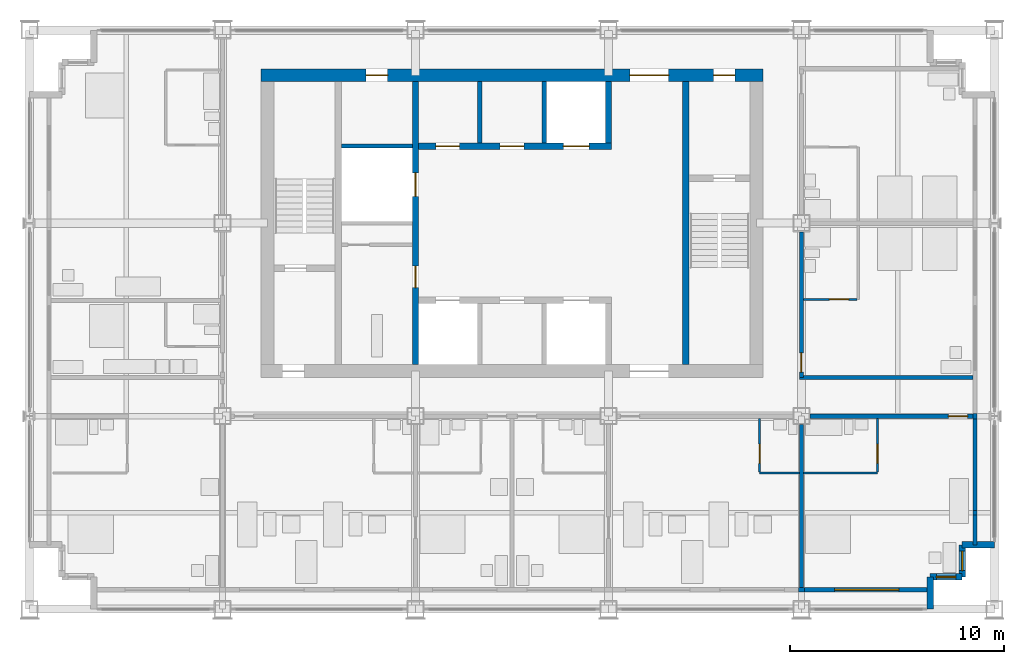
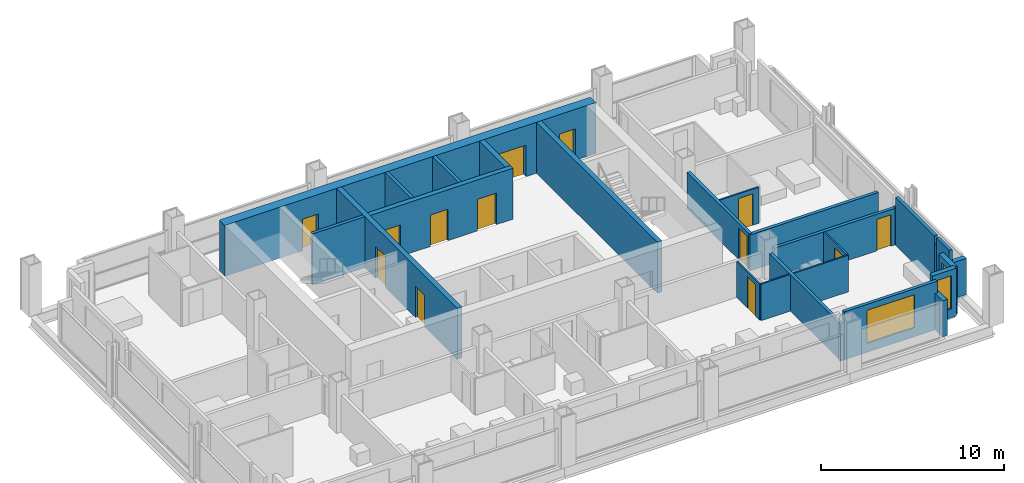
# One storey, part 9 of 13: 27 walls, 13 doors, 3 windows, 16 openings.
"""IFC4 building model written with IfcOpenShell, lengths in metres."""

from ifc_helpers import new_model, si_unit, direction, frame, frame_2d, origin, place, context, subcontext, project, spatial, rectangle, extrude, material, layer, layer_set, type_object, element, fill, save


model = new_model("IFC4")

# Units and contexts
model_context = context("Model", 3, precision=1e-05, world=origin(), true_north=direction((0.0, 1.0)))
body_context = subcontext(model_context, "Body", "Model", "MODEL_VIEW")
ifc_project = project(units=[si_unit("LENGTHUNIT", "METRE"), si_unit("AREAUNIT", "SQUARE_METRE"), si_unit("VOLUMEUNIT", "CUBIC_METRE"), si_unit("PLANEANGLEUNIT", "RADIAN"), si_unit("MASSUNIT", "GRAM", prefix="KILO")], contexts=[model_context])

# Site, building, storey
site_placement = place(None, origin())
site = spatial("IfcSite", under=ifc_project, at=site_placement, CompositionType="ELEMENT")
building_placement = place(site_placement, origin())
building = spatial("IfcBuilding", under=site, at=building_placement, Name="Loomwork Tower", CompositionType="ELEMENT")
storey_placement = place(building_placement, frame((0.0, 0.0, 214.800048828125)))
storey = spatial("IfcBuildingStorey", under=building, at=storey_placement, Name="L59", CompositionType="ELEMENT", Elevation=214.800048828125)

# Wall, openings, doors
ifc_material_1 = material(Name="Concrete 14000 psi (97 MPa)", Category="concrete")
ifc_layer_1 = layer(ifc_material_1, 0.300048828125)
ifc_layer_set_1 = layer_set([ifc_layer_1], Name="Core shear wall 300")
wall_type_1 = type_object("IfcWallType", Name="Core shear wall 300", PredefinedType="SHEAR", material=ifc_layer_set_1)
wall_1_placement = place(storey_placement, frame((18.0, 11.39990234375, 0.0), z_axis=(0.0, 0.0, 1.0), x_axis=(0.0, 1.0, 0.0)))
wall_1 = element("IfcWall", 1, at=wall_1_placement, inside=storey, type_object=wall_type_1, Name="Lobby west wall L59", PredefinedType="SHEAR", context=body_context, shape_type="SweptSolid", body=[
    extrude(rectangle(XDim=13.2001953125, YDim=0.300048828125, at=frame_2d((6.60009765625, 0.0))), origin(), (0.0, 0.0, 1.0), 3.39990234375),
])
opening_1_placement = place(wall_1_placement, frame((3.60009765625, 0.0, 0.0)))
opening_1 = element("IfcOpeningElement", 2, at=opening_1_placement, cuts=wall_1, Name="Opening D5", PredefinedType="OPENING", context=body_context, shape_type="SweptSolid", body=[
    extrude(rectangle(XDim=1.0, YDim=2.10009765625, at=frame_2d((0.5, 1.050048828125))), frame((0.0, 0.159912109375, 0.0), z_axis=(0.0, -1.0, 0.0), x_axis=(1.0, 0.0, 0.0)), (0.0, 0.0, 1.0), 0.320068359375),
])
opening_2_placement = place(wall_1_placement, frame((7.85009765625, 0.0, 0.0)))
opening_2 = element("IfcOpeningElement", 3, at=opening_2_placement, cuts=wall_1, Name="Opening LD1", PredefinedType="OPENING", context=body_context, shape_type="SweptSolid", body=[
    extrude(rectangle(XDim=1.10009765625, YDim=2.10009765625, at=frame_2d((0.550048828125, 1.050048828125))), frame((0.0, 0.159912109375, 0.0), z_axis=(0.0, -1.0, 0.0), x_axis=(1.0, 0.0, 0.0)), (0.0, 0.0, 1.0), 0.320068359375),
])
ifc_material_2 = material(Name="Hollow metal door and frame")
door_type_1 = type_object("IfcDoorType", Name="Lift landing door 1100", OperationType="SLIDING_TO_LEFT", PredefinedType="DOOR", material=ifc_material_2)
door_1_placement = place(opening_2_placement, origin())
door_1 = element("IfcDoor", 4, at=door_1_placement, inside=storey, type_object=door_type_1, Name="Lift landing door LC2", OperationType="SLIDING_TO_LEFT", OverallHeight=2.10009765625, OverallWidth=1.10009765625, PredefinedType="DOOR", context=body_context, shape_type="SweptSolid", body=[
    extrude(rectangle(XDim=1.10009765625, YDim=2.10009765625, at=frame_2d((0.550048828125, 1.050048828125))), frame((0.0, 0.02490234375, 0.0), z_axis=(0.0, -1.0, 0.0), x_axis=(1.0, 0.0, 0.0)), (0.0, 0.0, 1.0), 0.050048828125),
])
fill(opening_2, door_1)
ifc_material_3 = material(Name="Hollow metal door and frame")
door_type_2 = type_object("IfcDoorType", Name="Service door 1000", OperationType="SINGLE_SWING_LEFT", PredefinedType="DOOR", material=ifc_material_3)
door_2_placement = place(opening_1_placement, origin())
door_2 = element("IfcDoor", 5, at=door_2_placement, inside=storey, type_object=door_type_2, Name="Back-of-house door south", OperationType="SINGLE_SWING_LEFT", OverallHeight=2.10009765625, OverallWidth=1.0, PredefinedType="DOOR", context=body_context, shape_type="SweptSolid", body=[
    extrude(rectangle(XDim=1.0, YDim=2.10009765625, at=frame_2d((0.5, 1.050048828125))), frame((0.0, 0.02490234375, 0.0), z_axis=(0.0, -1.0, 0.0), x_axis=(1.0, 0.0, 0.0)), (0.0, 0.0, 1.0), 0.050048828125),
])
fill(opening_1, door_2)

wall_2_placement = place(storey_placement, frame((18.14990234375, 21.60009765625, 0.0), z_axis=(0.0, 0.0, 1.0), x_axis=(1.0, 0.0, 0.0)))
wall_2 = element("IfcWall", 6, at=wall_2_placement, inside=storey, type_object=wall_type_1, Name="Lift front wall north L59", PredefinedType="SHEAR", context=body_context, shape_type="SweptSolid", body=[
    extrude(rectangle(XDim=9.0, YDim=0.300048828125, at=frame_2d((4.5, 0.0))), origin(), (0.0, 0.0, 1.0), 3.39990234375),
])
opening_3_placement = place(wall_2_placement, frame((6.75, 0.0, 0.0)))
opening_3 = element("IfcOpeningElement", 7, at=opening_3_placement, cuts=wall_2, Name="Opening LD2", PredefinedType="OPENING", context=body_context, shape_type="SweptSolid", body=[
    extrude(rectangle(XDim=1.199951171875, YDim=2.10009765625, at=frame_2d((0.60009765625, 1.050048828125))), frame((0.0, 0.159912109375, 0.0), z_axis=(0.0, -1.0, 0.0), x_axis=(1.0, 0.0, 0.0)), (0.0, 0.0, 1.0), 0.320068359375),
])
opening_4_placement = place(wall_2_placement, frame((0.800048828125, 0.0, 0.0)))
opening_4 = element("IfcOpeningElement", 8, at=opening_4_placement, cuts=wall_2, Name="Opening D17", PredefinedType="OPENING", context=body_context, shape_type="SweptSolid", body=[
    extrude(rectangle(XDim=1.10009765625, YDim=2.10009765625, at=frame_2d((0.550048828125, 1.050048828125))), frame((0.0, 0.159912109375, 0.0), z_axis=(0.0, -1.0, 0.0), x_axis=(1.0, 0.0, 0.0)), (0.0, 0.0, 1.0), 0.320068359375),
])
opening_5_placement = place(wall_2_placement, frame((3.800048828125, 0.0, 0.0)))
opening_5 = element("IfcOpeningElement", 9, at=opening_5_placement, cuts=wall_2, Name="Opening D17", PredefinedType="OPENING", context=body_context, shape_type="SweptSolid", body=[
    extrude(rectangle(XDim=1.10009765625, YDim=2.10009765625, at=frame_2d((0.550048828125, 1.050048828125))), frame((0.0, 0.159912109375, 0.0), z_axis=(0.0, -1.0, 0.0), x_axis=(1.0, 0.0, 0.0)), (0.0, 0.0, 1.0), 0.320068359375),
])
ifc_material_4 = material(Name="Hollow metal door and frame")
door_type_3 = type_object("IfcDoorType", Name="Lift landing door 1200", OperationType="SLIDING_TO_LEFT", PredefinedType="DOOR", material=ifc_material_4)
door_3_placement = place(opening_3_placement, origin())
door_3 = element("IfcDoor", 10, at=door_3_placement, inside=storey, type_object=door_type_3, Name="Lift landing door LF2", OperationType="SLIDING_TO_LEFT", OverallHeight=2.10009765625, OverallWidth=1.199951171875, PredefinedType="DOOR", context=body_context, shape_type="SweptSolid", body=[
    extrude(rectangle(XDim=1.199951171875, YDim=2.10009765625, at=frame_2d((0.60009765625, 1.050048828125))), frame((0.0, 0.02490234375, 0.0), z_axis=(0.0, -1.0, 0.0), x_axis=(1.0, 0.0, 0.0)), (0.0, 0.0, 1.0), 0.050048828125),
])
fill(opening_3, door_3)
ifc_material_5 = material(Name="Hollow metal door and frame")
door_type_4 = type_object("IfcDoorType", Name="Service room door 1100", OperationType="SINGLE_SWING_LEFT", PredefinedType="DOOR", material=ifc_material_5)
door_4_placement = place(opening_4_placement, origin())
door_4 = element("IfcDoor", 11, at=door_4_placement, inside=storey, type_object=door_type_4, Name="Housekeeping store door L59", OperationType="SINGLE_SWING_LEFT", OverallHeight=2.10009765625, OverallWidth=1.10009765625, PredefinedType="DOOR", context=body_context, shape_type="SweptSolid", body=[
    extrude(rectangle(XDim=1.10009765625, YDim=2.10009765625, at=frame_2d((0.550048828125, 1.050048828125))), frame((0.0, 0.02490234375, 0.0), z_axis=(0.0, -1.0, 0.0), x_axis=(1.0, 0.0, 0.0)), (0.0, 0.0, 1.0), 0.050048828125),
])
fill(opening_4, door_4)
door_5_placement = place(opening_5_placement, origin())
door_5 = element("IfcDoor", 12, at=door_5_placement, inside=storey, type_object=door_type_4, Name="Guest pantry, ice and vending door L59", OperationType="SINGLE_SWING_LEFT", OverallHeight=2.10009765625, OverallWidth=1.10009765625, PredefinedType="DOOR", context=body_context, shape_type="SweptSolid", body=[
    extrude(rectangle(XDim=1.10009765625, YDim=2.10009765625, at=frame_2d((0.550048828125, 1.050048828125))), frame((0.0, 0.02490234375, 0.0), z_axis=(0.0, -1.0, 0.0), x_axis=(1.0, 0.0, 0.0)), (0.0, 0.0, 1.0), 0.050048828125),
])
fill(opening_5, door_5)

# Walls
wall_3_placement = place(storey_placement, frame((27.0, 21.75, 0.0), z_axis=(0.0, 0.0, 1.0), x_axis=(0.0, 1.0, 0.0)))
element("IfcWall", 13, at=wall_3_placement, inside=storey, type_object=wall_type_1, Name="Lift shaft end wall north L59", PredefinedType="SHEAR", context=body_context, shape_type="SweptSolid", body=[
    extrude(rectangle(XDim=2.85009765625, YDim=0.300048828125, at=frame_2d((1.425048828125, 0.0))), origin(), (0.0, 0.0, 1.0), 3.39990234375),
])
wall_4_placement = place(storey_placement, frame((30.60009765625, 11.39990234375, 0.0), z_axis=(0.0, 0.0, 1.0), x_axis=(0.0, 1.0, 0.0)))
element("IfcWall", 14, at=wall_4_placement, inside=storey, type_object=wall_type_1, Name="Stair B west wall L59", PredefinedType="SHEAR", context=body_context, shape_type="SweptSolid", body=[
    extrude(rectangle(XDim=13.2001953125, YDim=0.300048828125, at=frame_2d((6.60009765625, 0.0))), origin(), (0.0, 0.0, 1.0), 3.39990234375),
])

# Wall, openings, doors
ifc_material_6 = material(Name="Concrete 14000 psi (97 MPa)", Category="concrete")
ifc_layer_2 = layer(ifc_material_6, 0.60009765625)
ifc_layer_set_2 = layer_set([ifc_layer_2], Name="Core shear wall 600")
wall_type_2 = type_object("IfcWallType", Name="Core shear wall 600", PredefinedType="SHEAR", material=ifc_layer_set_2)
wall_5_placement = place(storey_placement, frame((10.800048828125, 24.89990234375, 0.0), z_axis=(0.0, 0.0, 1.0), x_axis=(1.0, 0.0, 0.0)))
wall_5 = element("IfcWall", 15, at=wall_5_placement, inside=storey, type_object=wall_type_2, Name="Core wall north L59", PredefinedType="SHEAR", context=body_context, shape_type="SweptSolid", body=[
    extrude(rectangle(XDim=23.39990234375, YDim=0.60009765625, at=frame_2d((11.699951171875, 0.0))), origin(), (0.0, 0.0, 1.0), 3.39990234375),
])
opening_6_placement = place(wall_5_placement, frame((17.199951171875, 0.0, 0.0)))
opening_6 = element("IfcOpeningElement", 16, at=opening_6_placement, cuts=wall_5, Name="Opening D6", PredefinedType="OPENING", context=body_context, shape_type="SweptSolid", body=[
    extrude(rectangle(XDim=1.800048828125, YDim=2.10009765625, at=frame_2d((0.89990234375, 1.050048828125))), frame((0.0, 0.31005859375, 0.0), z_axis=(0.0, -1.0, 0.0), x_axis=(1.0, 0.0, 0.0)), (0.0, 0.0, 1.0), 0.6201171875),
])
opening_7_placement = place(wall_5_placement, frame((21.10009765625, 0.0, 0.0)))
opening_7 = element("IfcOpeningElement", 17, at=opening_7_placement, cuts=wall_5, Name="Opening D4", PredefinedType="OPENING", context=body_context, shape_type="SweptSolid", body=[
    extrude(rectangle(XDim=1.0, YDim=2.10009765625, at=frame_2d((0.5, 1.050048828125))), frame((0.0, 0.31005859375, 0.0), z_axis=(0.0, -1.0, 0.0), x_axis=(1.0, 0.0, 0.0)), (0.0, 0.0, 1.0), 0.6201171875),
])
opening_8_placement = place(wall_5_placement, frame((4.89990234375, 0.0, 0.0)))
opening_8 = element("IfcOpeningElement", 18, at=opening_8_placement, cuts=wall_5, Name="Opening D5", PredefinedType="OPENING", context=body_context, shape_type="SweptSolid", body=[
    extrude(rectangle(XDim=1.0, YDim=2.10009765625, at=frame_2d((0.5, 1.050048828125))), frame((0.0, 0.31005859375, 0.0), z_axis=(0.0, -1.0, 0.0), x_axis=(1.0, 0.0, 0.0)), (0.0, 0.0, 1.0), 0.6201171875),
])
ifc_material_7 = material(Name="Hollow metal door and frame")
door_type_5 = type_object("IfcDoorType", Name="Lobby passage double door 1800", OperationType="DOUBLE_DOOR_SINGLE_SWING", PredefinedType="DOOR", material=ifc_material_7)
door_6_placement = place(opening_6_placement, frame((1.800048828125, 0.0, 0.0), z_axis=(0.0, 0.0, 1.0), x_axis=(-1.0, 0.0, 0.0)))
door_6 = element("IfcDoor", 19, at=door_6_placement, inside=storey, type_object=door_type_5, Name="Lobby passage door north", OperationType="DOUBLE_DOOR_SINGLE_SWING", OverallHeight=2.10009765625, OverallWidth=1.800048828125, PredefinedType="DOOR", context=body_context, shape_type="SweptSolid", body=[
    extrude(rectangle(XDim=1.800048828125, YDim=2.10009765625, at=frame_2d((0.89990234375, 1.050048828125))), frame((0.0, 0.02490234375, 0.0), z_axis=(0.0, -1.0, 0.0), x_axis=(1.0, 0.0, 0.0)), (0.0, 0.0, 1.0), 0.050048828125),
])
fill(opening_6, door_6)
door_7_placement = place(opening_8_placement, frame((1.0, 0.0, 0.0), z_axis=(0.0, 0.0, 1.0), x_axis=(-1.0, 0.0, 0.0)))
door_7 = element("IfcDoor", 20, at=door_7_placement, inside=storey, type_object=door_type_2, Name="Back-of-house door north", OperationType="SINGLE_SWING_LEFT", OverallHeight=2.10009765625, OverallWidth=1.0, PredefinedType="DOOR", context=body_context, shape_type="SweptSolid", body=[
    extrude(rectangle(XDim=1.0, YDim=2.10009765625, at=frame_2d((0.5, 1.050048828125))), frame((0.0, 0.02490234375, 0.0), z_axis=(0.0, -1.0, 0.0), x_axis=(1.0, 0.0, 0.0)), (0.0, 0.0, 1.0), 0.050048828125),
])
fill(opening_8, door_7)
ifc_material_8 = material(Name="Hollow metal door and frame")
door_type_6 = type_object("IfcDoorType", Name="Stair door 1000", OperationType="SINGLE_SWING_RIGHT", PredefinedType="DOOR", material=ifc_material_8)
door_8_placement = place(opening_7_placement, frame((1.0, 0.0, 0.0), z_axis=(0.0, 0.0, 1.0), x_axis=(-1.0, 0.0, 0.0)))
door_8 = element("IfcDoor", 21, at=door_8_placement, inside=storey, type_object=door_type_6, Name="Stair B vestibule door", OperationType="SINGLE_SWING_LEFT", OverallHeight=2.10009765625, OverallWidth=1.0, PredefinedType="DOOR", context=body_context, shape_type="SweptSolid", body=[
    extrude(rectangle(XDim=1.0, YDim=2.10009765625, at=frame_2d((0.5, 1.050048828125))), frame((0.0, 0.02490234375, 0.0), z_axis=(0.0, -1.0, 0.0), x_axis=(1.0, 0.0, 0.0)), (0.0, 0.0, 1.0), 0.050048828125),
])
fill(opening_7, door_8)

# Wall, opening, door
ifc_material_9 = material(Name="Gypsum board on steel studs, one-hour", Category="steel")
ifc_layer_3 = layer(ifc_material_9, 0.199951171875)
ifc_layer_set_3 = layer_set([ifc_layer_3], Name="Corridor wall 200")
wall_type_3 = type_object("IfcWallType", Name="Corridor wall 200", PredefinedType="PARTITIONING", material=ifc_layer_set_3)
wall_6_placement = place(storey_placement, frame((36.39990234375, 9.0, 0.0), z_axis=(0.0, 0.0, 1.0), x_axis=(1.0, 0.0, 0.0)))
wall_6 = element("IfcWall", 22, at=wall_6_placement, inside=storey, type_object=wall_type_3, Name="South corridor wall 5", PredefinedType="PARTITIONING", context=body_context, shape_type="SweptSolid", body=[
    extrude(rectangle(XDim=7.60009765625, YDim=0.199951171875, at=frame_2d((3.800048828125, 0.0))), origin(), (0.0, 0.0, 1.0), 2.43798828125),
])
opening_9_placement = place(wall_6_placement, frame((6.449951171875, 0.0, 0.0)))
opening_9 = element("IfcOpeningElement", 23, at=opening_9_placement, cuts=wall_6, Name="Opening D1", PredefinedType="OPENING", context=body_context, shape_type="SweptSolid", body=[
    extrude(rectangle(XDim=0.89990234375, YDim=2.10009765625, at=frame_2d((0.449951171875, 1.050048828125))), frame((0.0, 0.10986328125, 0.0), z_axis=(0.0, -1.0, 0.0), x_axis=(1.0, 0.0, 0.0)), (0.0, 0.0, 1.0), 0.219970703125),
])
ifc_material_10 = material(Name="Hollow metal door and frame")
door_type_7 = type_object("IfcDoorType", Name="Guest room entry door 900", OperationType="SINGLE_SWING_LEFT", PredefinedType="DOOR", material=ifc_material_10)
door_9_placement = place(opening_9_placement, frame((0.89990234375, 0.0, 0.0), z_axis=(0.0, 0.0, 1.0), x_axis=(-1.0, 0.0, 0.0)))
door_9 = element("IfcDoor", 24, at=door_9_placement, inside=storey, type_object=door_type_7, Name="Guest room entry door L59 6", OperationType="SINGLE_SWING_LEFT", OverallHeight=2.10009765625, OverallWidth=0.89990234375, PredefinedType="DOOR", context=body_context, shape_type="SweptSolid", body=[
    extrude(rectangle(XDim=0.89990234375, YDim=2.10009765625, at=frame_2d((0.449951171875, 1.050048828125))), frame((0.0, 0.02490234375, 0.0), z_axis=(0.0, -1.0, 0.0), x_axis=(1.0, 0.0, 0.0)), (0.0, 0.0, 1.0), 0.050048828125),
])
fill(opening_9, door_9)

wall_7_placement = place(storey_placement, frame((36.0, 10.800048828125, 0.0), z_axis=(0.0, 0.0, 1.0), x_axis=(0.0, 1.0, 0.0)))
wall_7 = element("IfcWall", 25, at=wall_7_placement, inside=storey, type_object=wall_type_3, Name="East corridor wall 1", PredefinedType="PARTITIONING", context=body_context, shape_type="SweptSolid", body=[
    extrude(rectangle(XDim=6.800048828125, YDim=0.199951171875, at=frame_2d((3.39990234375, 0.0))), origin(), (0.0, 0.0, 1.0), 2.405029296875),
])
opening_10_placement = place(wall_7_placement, frame((0.25, 0.0, 0.0)))
opening_10 = element("IfcOpeningElement", 26, at=opening_10_placement, cuts=wall_7, Name="Opening D1", PredefinedType="OPENING", context=body_context, shape_type="SweptSolid", body=[
    extrude(rectangle(XDim=0.89990234375, YDim=2.10009765625, at=frame_2d((0.449951171875, 1.050048828125))), frame((0.0, 0.10986328125, 0.0), z_axis=(0.0, -1.0, 0.0), x_axis=(1.0, 0.0, 0.0)), (0.0, 0.0, 1.0), 0.219970703125),
])
door_10_placement = place(opening_10_placement, frame((0.89990234375, 0.0, 0.0), z_axis=(0.0, 0.0, 1.0), x_axis=(-1.0, 0.0, 0.0)))
door_10 = element("IfcDoor", 27, at=door_10_placement, inside=storey, type_object=door_type_7, Name="Guest room entry door L59 9", OperationType="SINGLE_SWING_RIGHT", OverallHeight=2.10009765625, OverallWidth=0.89990234375, PredefinedType="DOOR", context=body_context, shape_type="SweptSolid", body=[
    extrude(rectangle(XDim=0.89990234375, YDim=2.10009765625, at=frame_2d((0.449951171875, 1.050048828125))), frame((0.0, 0.02490234375, 0.0), z_axis=(0.0, -1.0, 0.0), x_axis=(1.0, 0.0, 0.0)), (0.0, 0.0, 1.0), 0.050048828125),
])
fill(opening_10, door_10)

# Walls
wall_8_placement = place(storey_placement, frame((35.89990234375, 10.800048828125, 0.0), z_axis=(0.0, 0.0, 1.0), x_axis=(1.0, 0.0, 0.0)))
element("IfcWall", 28, at=wall_8_placement, inside=storey, type_object=wall_type_3, Name="East band end wall S", PredefinedType="PARTITIONING", context=body_context, shape_type="SweptSolid", body=[
    extrude(rectangle(XDim=8.10009765625, YDim=0.199951171875, at=frame_2d((4.050048828125, 0.0))), origin(), (0.0, 0.0, 1.0), 2.404052734375),
])
ifc_material_11 = material(Name="Cement board on steel studs", Category="steel")
ifc_layer_4 = layer(ifc_material_11, 0.10009765625)
ifc_layer_set_4 = layer_set([ifc_layer_4], Name="En-suite partition 100")
wall_type_4 = type_object("IfcWallType", Name="En-suite partition 100", PredefinedType="PARTITIONING", material=ifc_layer_set_4)
wall_9_placement = place(storey_placement, frame((34.050048828125, 6.35009765625, 0.0), z_axis=(0.0, 0.0, 1.0), x_axis=(1.0, 0.0, 0.0)))
element("IfcWall", 29, at=wall_9_placement, inside=storey, type_object=wall_type_4, Name="En-suite wall L59 room 5", PredefinedType="PARTITIONING", context=body_context, shape_type="SweptSolid", body=[
    extrude(rectangle(XDim=1.849853515625, YDim=0.10009765625, at=frame_2d((0.9248046875, 0.0))), origin(), (0.0, 0.0, 1.0), 2.43798828125),
])

# Wall, opening, door
wall_10_placement = place(storey_placement, frame((34.050048828125, 8.89990234375, 0.0), z_axis=(0.0, 0.0, 1.0), x_axis=(0.0, -1.0, 0.0)))
wall_10 = element("IfcWall", 30, at=wall_10_placement, inside=storey, type_object=wall_type_4, Name="En-suite side wall L59 room 5", PredefinedType="PARTITIONING", context=body_context, shape_type="SweptSolid", body=[
    extrude(rectangle(XDim=2.5, YDim=0.10009765625, at=frame_2d((1.25, 0.0))), origin(), (0.0, 0.0, 1.0), 2.404052734375),
])
opening_11_placement = place(wall_10_placement, frame((1.199951171875, 0.0, 0.0)))
opening_11 = element("IfcOpeningElement", 31, at=opening_11_placement, cuts=wall_10, Name="Opening D2", PredefinedType="OPENING", context=body_context, shape_type="SweptSolid", body=[
    extrude(rectangle(XDim=0.89990234375, YDim=2.10009765625, at=frame_2d((0.449951171875, 1.050048828125))), frame((0.0, 0.06005859375, 0.0), z_axis=(0.0, -1.0, 0.0), x_axis=(1.0, 0.0, 0.0)), (0.0, 0.0, 1.0), 0.1201171875),
])
ifc_material_12 = material(Name="Hollow metal door and frame")
door_type_8 = type_object("IfcDoorType", Name="En-suite door 900", OperationType="SINGLE_SWING_LEFT", PredefinedType="DOOR", material=ifc_material_12)
door_11_placement = place(opening_11_placement, origin())
door_11 = element("IfcDoor", 32, at=door_11_placement, inside=storey, type_object=door_type_8, Name="Suite powder room door room 5", OperationType="SINGLE_SWING_RIGHT", OverallHeight=2.10009765625, OverallWidth=0.89990234375, PredefinedType="DOOR", context=body_context, shape_type="SweptSolid", body=[
    extrude(rectangle(XDim=0.89990234375, YDim=2.10009765625, at=frame_2d((0.449951171875, 1.050048828125))), frame((0.0, 0.02490234375, 0.0), z_axis=(0.0, -1.0, 0.0), x_axis=(1.0, 0.0, 0.0)), (0.0, 0.0, 1.0), 0.050048828125),
])
fill(opening_11, door_11)

# Wall
wall_11_placement = place(storey_placement, frame((36.10009765625, 6.35009765625, 0.0), z_axis=(0.0, 0.0, 1.0), x_axis=(1.0, 0.0, 0.0)))
element("IfcWall", 33, at=wall_11_placement, inside=storey, type_object=wall_type_4, Name="En-suite wall L59 room 6", PredefinedType="PARTITIONING", context=body_context, shape_type="SweptSolid", body=[
    extrude(rectangle(XDim=3.449951171875, YDim=0.10009765625, at=frame_2d((1.72509765625, 0.0))), origin(), (0.0, 0.0, 1.0), 2.43798828125),
])

# Wall, opening, door
wall_12_placement = place(storey_placement, frame((39.550048828125, 8.89990234375, 0.0), z_axis=(0.0, 0.0, 1.0), x_axis=(0.0, -1.0, 0.0)))
wall_12 = element("IfcWall", 34, at=wall_12_placement, inside=storey, type_object=wall_type_4, Name="En-suite side wall L59 room 6", PredefinedType="PARTITIONING", context=body_context, shape_type="SweptSolid", body=[
    extrude(rectangle(XDim=2.5, YDim=0.10009765625, at=frame_2d((1.25, 0.0))), origin(), (0.0, 0.0, 1.0), 2.43798828125),
])
opening_12_placement = place(wall_12_placement, frame((1.199951171875, 0.0, 0.0)))
opening_12 = element("IfcOpeningElement", 35, at=opening_12_placement, cuts=wall_12, Name="Opening D2", PredefinedType="OPENING", context=body_context, shape_type="SweptSolid", body=[
    extrude(rectangle(XDim=0.89990234375, YDim=2.10009765625, at=frame_2d((0.449951171875, 1.050048828125))), frame((0.0, 0.06005859375, 0.0), z_axis=(0.0, -1.0, 0.0), x_axis=(1.0, 0.0, 0.0)), (0.0, 0.0, 1.0), 0.1201171875),
])
door_12_placement = place(opening_12_placement, frame((0.89990234375, 0.0, 0.0), z_axis=(0.0, 0.0, 1.0), x_axis=(-1.0, 0.0, 0.0)))
door_12 = element("IfcDoor", 36, at=door_12_placement, inside=storey, type_object=door_type_8, Name="En-suite door room 6", OperationType="SINGLE_SWING_LEFT", OverallHeight=2.10009765625, OverallWidth=0.89990234375, PredefinedType="DOOR", context=body_context, shape_type="SweptSolid", body=[
    extrude(rectangle(XDim=0.89990234375, YDim=2.10009765625, at=frame_2d((0.449951171875, 1.050048828125))), frame((0.0, 0.02490234375, 0.0), z_axis=(0.0, -1.0, 0.0), x_axis=(1.0, 0.0, 0.0)), (0.0, 0.0, 1.0), 0.050048828125),
])
fill(opening_12, door_12)

wall_13_placement = place(storey_placement, frame((36.10009765625, 14.449951171875, 0.0), z_axis=(0.0, 0.0, 1.0), x_axis=(1.0, 0.0, 0.0)))
wall_13 = element("IfcWall", 37, at=wall_13_placement, inside=storey, type_object=wall_type_4, Name="En-suite side wall L59 room 9", PredefinedType="PARTITIONING", context=body_context, shape_type="SweptSolid", body=[
    extrude(rectangle(XDim=2.5, YDim=0.10009765625, at=frame_2d((1.25, 0.0))), origin(), (0.0, 0.0, 1.0), 2.404052734375),
])
opening_13_placement = place(wall_13_placement, frame((1.199951171875, 0.0, 0.0)))
opening_13 = element("IfcOpeningElement", 38, at=opening_13_placement, cuts=wall_13, Name="Opening D2", PredefinedType="OPENING", context=body_context, shape_type="SweptSolid", body=[
    extrude(rectangle(XDim=0.89990234375, YDim=2.10009765625, at=frame_2d((0.449951171875, 1.050048828125))), frame((0.0, 0.06005859375, 0.0), z_axis=(0.0, -1.0, 0.0), x_axis=(1.0, 0.0, 0.0)), (0.0, 0.0, 1.0), 0.1201171875),
])
door_13_placement = place(opening_13_placement, origin())
door_13 = element("IfcDoor", 39, at=door_13_placement, inside=storey, type_object=door_type_8, Name="En-suite door room 9", OperationType="SINGLE_SWING_RIGHT", OverallHeight=2.10009765625, OverallWidth=0.89990234375, PredefinedType="DOOR", context=body_context, shape_type="SweptSolid", body=[
    extrude(rectangle(XDim=0.89990234375, YDim=2.10009765625, at=frame_2d((0.449951171875, 1.050048828125))), frame((0.0, 0.02490234375, 0.0), z_axis=(0.0, -1.0, 0.0), x_axis=(1.0, 0.0, 0.0)), (0.0, 0.0, 1.0), 0.050048828125),
])
fill(opening_13, door_13)

# Walls
ifc_material_13 = material(Name="Gypsum board on steel studs, acoustic", Category="steel")
ifc_layer_5 = layer(ifc_material_13, 0.199951171875)
ifc_layer_set_5 = layer_set([ifc_layer_5], Name="Guest room party wall 200")
wall_type_5 = type_object("IfcWallType", Name="Guest room party wall 200", PredefinedType="PARTITIONING", material=ifc_layer_set_5)
wall_14_placement = place(storey_placement, frame((36.0, 8.60009765625, 0.0), z_axis=(0.0, 0.0, 1.0), x_axis=(0.0, -1.0, 0.0)))
element("IfcWall", 40, at=wall_14_placement, inside=storey, type_object=wall_type_5, Name="Guest room party wall S 36", PredefinedType="PARTITIONING", context=body_context, shape_type="SweptSolid", body=[
    extrude(rectangle(XDim=7.60009765625, YDim=0.199951171875, at=frame_2d((3.800048828125, 0.0))), origin(), (0.0, 0.0, 1.0), 2.43798828125),
])
ifc_material_14 = material(Name="Insulated steel stud wall with gypsum lining", Category="steel")
ifc_layer_6 = layer(ifc_material_14, 0.199951171875)
ifc_layer_set_6 = layer_set([ifc_layer_6], Name="Inner skin wall 200")
wall_type_6 = type_object("IfcWallType", Name="Inner skin wall 200", PredefinedType="SOLIDWALL", material=ifc_layer_set_6)
wall_15_placement = place(storey_placement, frame((44.10009765625, 3.0, 0.0), z_axis=(0.0, 0.0, 1.0), x_axis=(0.0, 1.0, 0.0)))
element("IfcWall", 41, at=wall_15_placement, inside=storey, type_object=wall_type_6, Name="Inner skin wall E", PredefinedType="SOLIDWALL", context=body_context, shape_type="SweptSolid", body=[
    extrude(rectangle(XDim=1.392578125, YDim=0.199951171875, at=frame_2d((0.6962890625, 0.0))), origin(), (0.0, 0.0, 1.0), 3.199951171875),
])
wall_16_placement = place(storey_placement, frame((35.864501953125, 0.89990234375, 0.0), z_axis=(0.0, 0.0, 1.0), x_axis=(1.0, 0.0, 0.0)))
element("IfcWall", 42, at=wall_16_placement, inside=storey, type_object=wall_type_6, Name="Inner skin wall S bay 8", PredefinedType="SOLIDWALL", context=body_context, shape_type="SweptSolid", body=[
    extrude(rectangle(XDim=0.27099609375, YDim=0.199951171875, at=frame_2d((0.135498046875, 0.0))), origin(), (0.0, 0.0, 1.0), 2.43798828125),
])

# Wall, opening, window
wall_17_placement = place(storey_placement, frame((36.135498046875, 0.89990234375, 0.0), z_axis=(0.0, 0.0, 1.0), x_axis=(1.0, 0.0, 0.0)))
wall_17 = element("IfcWall", 43, at=wall_17_placement, inside=storey, type_object=wall_type_6, Name="Inner skin wall S bay 9", PredefinedType="SOLIDWALL", context=body_context, shape_type="SweptSolid", body=[
    extrude(rectangle(XDim=5.864501953125, YDim=0.199951171875, at=frame_2d((2.93212890625, 0.0))), origin(), (0.0, 0.0, 1.0), 3.199951171875),
])
opening_14_placement = place(wall_17_placement, frame((1.41455078125, 0.0, 0.60009765625)))
opening_14 = element("IfcOpeningElement", 44, at=opening_14_placement, cuts=wall_17, Name="Opening CH1", PredefinedType="OPENING", context=body_context, shape_type="SweptSolid", body=[
    extrude(rectangle(XDim=3.0, YDim=2.199951171875, at=frame_2d((1.5, 1.10009765625))), frame((0.0, 0.10986328125, 0.0), z_axis=(0.0, -1.0, 0.0), x_axis=(1.0, 0.0, 0.0)), (0.0, 0.0, 1.0), 0.219970703125),
])
ifc_material_15 = material(Name="Aluminium frame with clear insulated glass", Category="aluminium")
window_type_1 = type_object("IfcWindowType", Name="Chicago window 3000", PartitioningType="TRIPLE_PANEL_VERTICAL", PredefinedType="WINDOW", material=ifc_material_15)
window_1_placement = place(opening_14_placement, origin())
window_1 = element("IfcWindow", 45, at=window_1_placement, inside=storey, type_object=window_type_1, Name="Chicago window L59 bay 5", OverallHeight=2.199951171875, OverallWidth=3.0, PartitioningType="TRIPLE_PANEL_VERTICAL", PredefinedType="WINDOW", context=body_context, shape_type="SweptSolid", body=[
    extrude(rectangle(XDim=3.0, YDim=2.199951171875, at=frame_2d((1.5, 1.10009765625))), frame((0.0, 0.030029296875, 0.0), z_axis=(0.0, -1.0, 0.0), x_axis=(1.0, 0.0, 0.0)), (0.0, 0.0, 1.0), 0.06005859375),
])
fill(opening_14, window_1)

# Walls
wall_18_placement = place(storey_placement, frame((44.10009765625, 4.392578125, 0.0), z_axis=(0.0, 0.0, 1.0), x_axis=(0.0, 1.0, 0.0)))
element("IfcWall", 46, at=wall_18_placement, inside=storey, type_object=wall_type_6, Name="Inner skin wall E bay 2", PredefinedType="SOLIDWALL", context=body_context, shape_type="SweptSolid", body=[
    extrude(rectangle(XDim=0.21484375, YDim=0.199951171875, at=frame_2d((0.107421875, 0.0))), origin(), (0.0, 0.0, 1.0), 2.660888671875),
])
wall_19_placement = place(storey_placement, frame((44.10009765625, 4.607421875, 0.0), z_axis=(0.0, 0.0, 1.0), x_axis=(0.0, 1.0, 0.0)))
element("IfcWall", 47, at=wall_19_placement, inside=storey, type_object=wall_type_6, Name="Inner skin wall E bay 3", PredefinedType="SOLIDWALL", context=body_context, shape_type="SweptSolid", body=[
    extrude(rectangle(XDim=4.25732421875, YDim=0.199951171875, at=frame_2d((2.128662109375, 0.0))), origin(), (0.0, 0.0, 1.0), 3.199951171875),
])
wall_20_placement = place(storey_placement, frame((44.10009765625, 8.86474609375, 0.0), z_axis=(0.0, 0.0, 1.0), x_axis=(0.0, 1.0, 0.0)))
element("IfcWall", 48, at=wall_20_placement, inside=storey, type_object=wall_type_6, Name="Inner skin wall E bay 4", PredefinedType="SOLIDWALL", context=body_context, shape_type="SweptSolid", body=[
    extrude(rectangle(XDim=0.2705078125, YDim=0.199951171875, at=frame_2d((0.13525390625, 0.0))), origin(), (0.0, 0.0, 1.0), 2.43798828125),
])
ifc_material_16 = material(Name="Concrete 14000 psi (97 MPa)", Category="concrete")
ifc_layer_7 = layer(ifc_material_16, 0.199951171875)
ifc_layer_set_7 = layer_set([ifc_layer_7], Name="Lift shaft wall 200")
wall_type_7 = type_object("IfcWallType", Name="Lift shaft wall 200", PredefinedType="SHEAR", material=ifc_layer_set_7)
for number, where, z_axis, x_axis, name in (
    (49, (21.0, 21.75, 0.0), (0.0, 0.0, 1.0), (0.0, 1.0, 0.0), "Lift shaft separation wall north 1 L59"),
    (50, (24.0, 21.75, 0.0), (0.0, 0.0, 1.0), (0.0, 1.0, 0.0), "Lift shaft separation wall north 2 L59"),
):
    element("IfcWall", number, at=place(storey_placement, frame(where, z_axis=z_axis, x_axis=x_axis)), inside=storey, type_object=wall_type_7, Name=name, PredefinedType="SHEAR", context=body_context, shape_type="SweptSolid", body=[
        extrude(rectangle(XDim=2.85009765625, YDim=0.199951171875, at=frame_2d((1.425048828125, 0.0))), origin(), (0.0, 0.0, 1.0), 3.39990234375),
    ])
wall_21_placement = place(storey_placement, frame((14.550048828125, 21.60009765625, 0.0), z_axis=(0.0, 0.0, 1.0), x_axis=(1.0, 0.0, 0.0)))
element("IfcWall", 51, at=wall_21_placement, inside=storey, type_object=wall_type_7, Name="Lift shaft wall west north L59", PredefinedType="SHEAR", context=body_context, shape_type="SweptSolid", body=[
    extrude(rectangle(XDim=3.300048828125, YDim=0.199951171875, at=frame_2d((1.64990234375, 0.0))), origin(), (0.0, 0.0, 1.0), 3.39990234375),
])
ifc_material_17 = material(Name="Limestone on concrete masonry", Category="masonry")
ifc_layer_8 = layer(ifc_material_17, 0.300048828125)
ifc_layer_set_8 = layer_set([ifc_layer_8], Name="Limestone corner wall 300")
wall_type_8 = type_object("IfcWallType", Name="Limestone corner wall 300", PredefinedType="SOLIDWALL", material=ifc_layer_set_8)
wall_22_placement = place(storey_placement, frame((42.0, 0.0, 0.0), z_axis=(0.0, 0.0, 1.0), x_axis=(0.0, 1.0, 0.0)))
element("IfcWall", 52, at=wall_22_placement, inside=storey, type_object=wall_type_8, Name="Stone corner wall SE 1", PredefinedType="SOLIDWALL", context=body_context, shape_type="SweptSolid", body=[
    extrude(rectangle(XDim=1.5, YDim=0.300048828125, at=frame_2d((0.75, 0.0))), origin(), (0.0, 0.0, 1.0), 2.419921875),
])

# Wall, opening, window
wall_23_placement = place(storey_placement, frame((42.0, 1.5, 0.0), z_axis=(0.0, 0.0, 1.0), x_axis=(1.0, 0.0, 0.0)))
wall_23 = element("IfcWall", 53, at=wall_23_placement, inside=storey, type_object=wall_type_8, Name="Stone corner wall SE 2", PredefinedType="SOLIDWALL", context=body_context, shape_type="SweptSolid", body=[
    extrude(rectangle(XDim=1.5, YDim=0.300048828125, at=frame_2d((0.75, 0.0))), origin(), (0.0, 0.0, 1.0), 3.199951171875),
])
opening_15_placement = place(wall_23_placement, frame((0.300048828125, 0.0, 0.60009765625)))
opening_15 = element("IfcOpeningElement", 54, at=opening_15_placement, cuts=wall_23, Name="Opening CH2", PredefinedType="OPENING", context=body_context, shape_type="SweptSolid", body=[
    extrude(rectangle(XDim=0.89990234375, YDim=2.199951171875, at=frame_2d((0.449951171875, 1.10009765625))), frame((0.0, 0.159912109375, 0.0), z_axis=(0.0, -1.0, 0.0), x_axis=(1.0, 0.0, 0.0)), (0.0, 0.0, 1.0), 0.320068359375),
])
ifc_material_18 = material(Name="Aluminium frame with clear insulated glass", Category="aluminium")
window_type_2 = type_object("IfcWindowType", Name="Corner window 900", PartitioningType="SINGLE_PANEL", PredefinedType="WINDOW", material=ifc_material_18)
window_2_placement = place(opening_15_placement, origin())
window_2 = element("IfcWindow", 55, at=window_2_placement, inside=storey, type_object=window_type_2, Name="Corner window SE", OverallHeight=2.199951171875, OverallWidth=0.89990234375, PartitioningType="SINGLE_PANEL", PredefinedType="WINDOW", context=body_context, shape_type="SweptSolid", body=[
    extrude(rectangle(XDim=0.89990234375, YDim=2.199951171875, at=frame_2d((0.449951171875, 1.10009765625))), frame((0.0, 0.030029296875, 0.0), z_axis=(0.0, -1.0, 0.0), x_axis=(1.0, 0.0, 0.0)), (0.0, 0.0, 1.0), 0.06005859375),
])
fill(opening_15, window_2)

wall_24_placement = place(storey_placement, frame((43.5, 1.5, 0.0), z_axis=(0.0, 0.0, 1.0), x_axis=(0.0, 1.0, 0.0)))
wall_24 = element("IfcWall", 56, at=wall_24_placement, inside=storey, type_object=wall_type_8, Name="Stone corner wall SE 3", PredefinedType="SOLIDWALL", context=body_context, shape_type="SweptSolid", body=[
    extrude(rectangle(XDim=1.5, YDim=0.300048828125, at=frame_2d((0.75, 0.0))), origin(), (0.0, 0.0, 1.0), 3.199951171875),
])
opening_16_placement = place(wall_24_placement, frame((0.300048828125, 0.0, 0.60009765625)))
opening_16 = element("IfcOpeningElement", 57, at=opening_16_placement, cuts=wall_24, Name="Opening CH2", PredefinedType="OPENING", context=body_context, shape_type="SweptSolid", body=[
    extrude(rectangle(XDim=0.89990234375, YDim=2.199951171875, at=frame_2d((0.449951171875, 1.10009765625))), frame((0.0, 0.159912109375, 0.0), z_axis=(0.0, -1.0, 0.0), x_axis=(1.0, 0.0, 0.0)), (0.0, 0.0, 1.0), 0.320068359375),
])
window_3_placement = place(opening_16_placement, origin())
window_3 = element("IfcWindow", 58, at=window_3_placement, inside=storey, type_object=window_type_2, Name="Corner window SE", OverallHeight=2.199951171875, OverallWidth=0.89990234375, PartitioningType="SINGLE_PANEL", PredefinedType="WINDOW", context=body_context, shape_type="SweptSolid", body=[
    extrude(rectangle(XDim=0.89990234375, YDim=2.199951171875, at=frame_2d((0.449951171875, 1.10009765625))), frame((0.0, 0.030029296875, 0.0), z_axis=(0.0, -1.0, 0.0), x_axis=(1.0, 0.0, 0.0)), (0.0, 0.0, 1.0), 0.06005859375),
])
fill(opening_16, window_3)

# Wall
wall_25_placement = place(storey_placement, frame((43.5, 3.0, 0.0), z_axis=(0.0, 0.0, 1.0), x_axis=(1.0, 0.0, 0.0)))
element("IfcWall", 59, at=wall_25_placement, inside=storey, type_object=wall_type_8, Name="Stone corner wall SE 4", PredefinedType="SOLIDWALL", context=body_context, shape_type="SweptSolid", body=[
    extrude(rectangle(XDim=1.5, YDim=0.300048828125, at=frame_2d((0.75, 0.0))), origin(), (0.0, 0.0, 1.0), 2.419921875),
])

save(model, "model.ifc")
